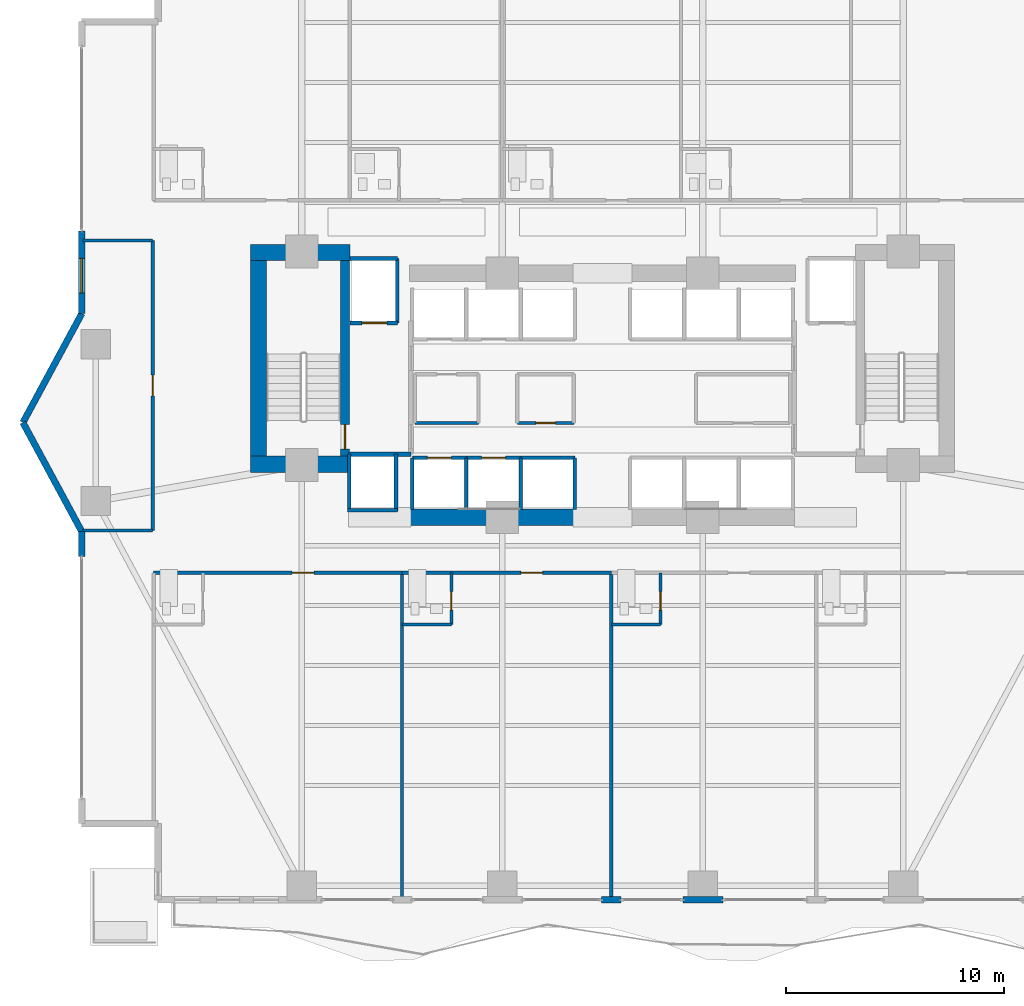
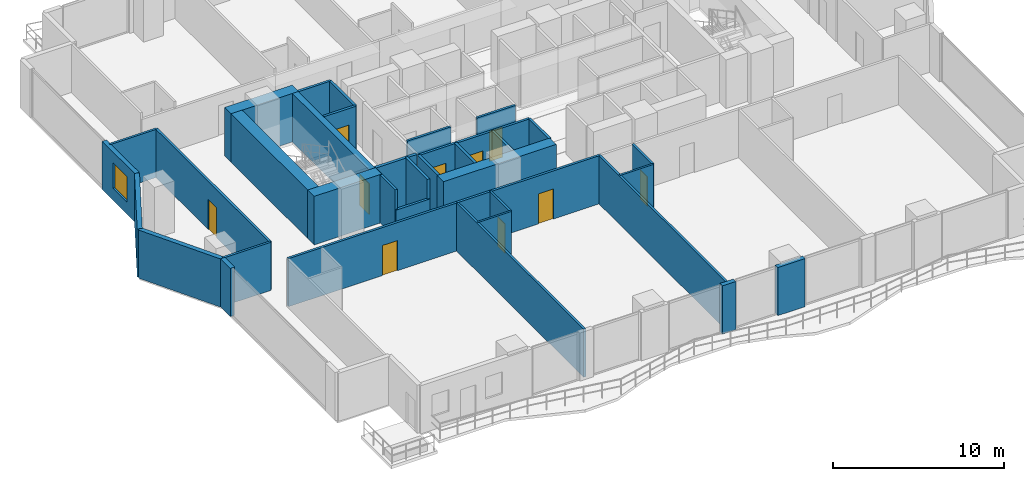
# One storey, part 20 of 27: 38 walls, 10 doors, 1 window, 11 openings.
"""IFC4 building model written with IfcOpenShell, lengths in metres."""

import ifcopenshell
import ifcopenshell.guid

model = None  # the IFC model being written
_history = None  # IfcOwnerHistory: only IFC2X3 demands one
_inside = {}  # id of a spatial element -> (the spatial element, [elements in it])
_under = {}  # id of a project, library or spatial element -> (it, [spatial elements below it])
_declared = {}  # id of a project -> (the project, [libraries it declares])
_typed = {}  # id of a type object -> (the type object, [elements of that type])
_made_of = {}  # id of a material, layer set ... -> (it, [elements and type objects made of it])


def new_model(schema):
    """Start an empty IFC model of exactly this schema.

    Asked for "IFC4X3", IfcOpenShell would pick the latest addendum, in which some entities
    have other attributes; the version numbers below select the first issue.
    IFC2X3 requires an IfcOwnerHistory on every rooted entity: one is made here for all.
    """
    global model, _history
    if schema == "IFC4X3":
        model = ifcopenshell.file(schema_version=(4, 3, 0, 0))
    else:
        model = ifcopenshell.file(schema=schema)
    _inside.clear()
    _under.clear()
    _declared.clear()
    _typed.clear()
    _made_of.clear()
    _history = None
    if model.schema == "IFC2X3":
        org = make("IfcOrganization", Name="unknown")
        user = make(
            "IfcPersonAndOrganization",
            ThePerson=make("IfcPerson", FamilyName="unknown"),
            TheOrganization=org,
        )
        app = make(
            "IfcApplication",
            ApplicationDeveloper=org,
            Version="unknown",
            ApplicationFullName="unknown",
            ApplicationIdentifier="unknown",
        )
        _history = make(
            "IfcOwnerHistory",
            OwningUser=user,
            OwningApplication=app,
            ChangeAction="ADDED",
            CreationDate=0,
        )
    return model


def make(cls, **values):
    """One entity of the class cls with the attributes given. An attribute that is None is left unset."""
    return model.create_entity(
        cls, **{name: value for name, value in values.items() if value is not None}
    )


def rooted(cls, **values):
    """An entity with a GlobalId (a new one), such as an element, a storey or a relation."""
    return make(cls, GlobalId=ifcopenshell.guid.new(), OwnerHistory=_history, **values)


def si_unit(unit_type, name, prefix=None):
    """IfcSIUnit, for example si_unit("LENGTHUNIT", "METRE", prefix="MILLI")."""
    return make("IfcSIUnit", UnitType=unit_type, Prefix=prefix, Name=name)


def assignment(units):
    """IfcUnitAssignment: the units of a project."""
    return None if units is None else make("IfcUnitAssignment", Units=units)


def point(xyz):
    """IfcCartesianPoint."""
    return None if xyz is None else make("IfcCartesianPoint", Coordinates=xyz)


def direction(xyz):
    """IfcDirection."""
    return None if xyz is None else make("IfcDirection", DirectionRatios=xyz)


def frame(location, z_axis=None, x_axis=None):
    """IfcAxis2Placement3D, a coordinate frame: its origin and axes. An axis left out is left unset."""
    return make(
        "IfcAxis2Placement3D",
        Location=point(location),
        Axis=direction(z_axis),
        RefDirection=direction(x_axis),
    )


def frame_2d(location, x_axis=None):
    """IfcAxis2Placement2D, a coordinate frame in the plane: its origin and x axis."""
    return make(
        "IfcAxis2Placement2D", Location=point(location), RefDirection=direction(x_axis)
    )


def origin():
    """The frame at (0, 0, 0) with its axes left unset."""
    return frame((0.0, 0.0, 0.0))


def place(relative_to, where):
    """IfcLocalPlacement: puts the frame where relative to a parent placement (None: the world)."""
    return make(
        "IfcLocalPlacement", PlacementRelTo=relative_to, RelativePlacement=where
    )


def context(
    kind, dimensions, precision=None, world=None, true_north=None, identifier=None
):
    """IfcGeometricRepresentationContext, for example the 3D "Model" context."""
    return make(
        "IfcGeometricRepresentationContext",
        ContextIdentifier=identifier,
        ContextType=kind,
        CoordinateSpaceDimension=dimensions,
        Precision=precision,
        WorldCoordinateSystem=world,
        TrueNorth=true_north,
    )


def subcontext(parent, identifier, kind, view, scale=None):
    """IfcGeometricRepresentationSubContext, for example "Body" below "Model"."""
    return make(
        "IfcGeometricRepresentationSubContext",
        ContextIdentifier=identifier,
        ContextType=kind,
        ParentContext=parent,
        TargetScale=scale,
        TargetView=view,
    )


def project(units=None, contexts=None):
    """IfcProject with its units and contexts."""
    return rooted(
        "IfcProject",
        Name="project",
        RepresentationContexts=contexts,
        UnitsInContext=assignment(units),
    )


def spatial(cls, under=None, at=None, **own):
    """A site, building, storey or space (cls), placed at a placement, below another one or the project."""
    s = rooted(cls, ObjectPlacement=at, **own)
    if under is not None:
        _under.setdefault(under.id(), (under, []))[1].append(s)
    return s


def profile(cls, at=None, kind="AREA", **sizes):
    """A parametric profile (cls). Its sizes go by their IFC names, for example OverallWidth=200.0."""
    return make(cls, ProfileType=kind, Position=at, **sizes)


def rectangle(**sizes):
    """IfcRectangleProfileDef."""
    return profile("IfcRectangleProfileDef", **sizes)


def extrude(swept, where, along, depth):
    """IfcExtrudedAreaSolid: the profile swept, set in the frame where, extruded along a direction by depth."""
    return make(
        "IfcExtrudedAreaSolid",
        SweptArea=swept,
        Position=where,
        ExtrudedDirection=direction(along),
        Depth=depth,
    )


def shape(context_of_items, identifier, shape_type, items):
    """IfcShapeRepresentation: the items that make up one representation, for example the "Body"."""
    return make(
        "IfcShapeRepresentation",
        ContextOfItems=context_of_items,
        RepresentationIdentifier=identifier,
        RepresentationType=shape_type,
        Items=items,
    )


def material(Name=None, Category=None):
    """IfcMaterial."""
    return make("IfcMaterial", Name=Name, Category=Category)


def layer(
    of_material, thickness, ventilated=None, Name=None, Category=None, Priority=None
):
    """IfcMaterialLayer: one layer of a wall or slab, of a material (None: an air gap)."""
    return make(
        "IfcMaterialLayer",
        Material=of_material,
        LayerThickness=thickness,
        IsVentilated=ventilated,
        Name=Name,
        Category=Category,
        Priority=Priority,
    )


def layer_set(layers, Name=None):
    """IfcMaterialLayerSet."""
    return make("IfcMaterialLayerSet", MaterialLayers=layers, LayerSetName=Name)


def made_of(thing, what):
    """Note that an element or type object is made of a material, layer set ...; save() writes the relation."""
    if what is not None:
        _made_of.setdefault(what.id(), (what, []))[1].append(thing)
    return thing


def type_object(cls, material=None, **own):
    """A type object (cls), such as IfcWallType, which elements share."""
    return made_of(rooted(cls, **own), material)


def element(
    cls,
    number,
    at=None,
    inside=None,
    cuts=None,
    type_object=None,
    material=None,
    context=None,
    identifier="Body",
    shape_type=None,
    held_by="IfcProductDefinitionShape",
    body=None,
    shapes=None,
    **own,
):
    """One element of the class cls, such as IfcWall. Its Tag is "e" and its number.

    at: its placement. inside: the storey or other place that contains it. cuts: it is an
    opening in that element (IfcRelVoidsElement). A single representation is given by context,
    identifier, shape_type and body (its items); several are given by shapes. held_by: the class
    of the entity that holds the representations. save() writes the other relations.
    """
    e = rooted(cls, Tag="e%d" % number, ObjectPlacement=at, **own)
    if body is not None:
        shapes = [shape(context, identifier, shape_type, body)]
    if shapes is not None:
        e.Representation = make(held_by, Representations=shapes)
    if inside is not None:
        _inside.setdefault(inside.id(), (inside, []))[1].append(e)
    if cuts is not None:
        rooted(
            "IfcRelVoidsElement", RelatingBuildingElement=cuts, RelatedOpeningElement=e
        )
    if type_object is not None:
        _typed.setdefault(type_object.id(), (type_object, []))[1].append(e)
    return made_of(e, material)


def fill(opening, filler):
    """IfcRelFillsElement: the door or window that sits in an opening."""
    return rooted(
        "IfcRelFillsElement",
        RelatingOpeningElement=opening,
        RelatedBuildingElement=filler,
    )


def aggregate(whole, parts):
    """IfcRelAggregates: a whole, such as a stair, and the parts it consists of."""
    return rooted("IfcRelAggregates", RelatingObject=whole, RelatedObjects=parts)


def save(model, path):
    """Write the relations noted so far, then the file.

    IfcRelAggregates (storeys below a building ...), IfcRelContainedInSpatialStructure (elements
    in a storey), IfcRelDefinesByType, IfcRelAssociatesMaterial and IfcRelDeclares: one each for
    every whole, place, type object, material and project.
    """
    for whole, parts in _under.values():
        aggregate(whole, parts)
    for where, things in _inside.values():
        rooted(
            "IfcRelContainedInSpatialStructure",
            RelatedElements=things,
            RelatingStructure=where,
        )
    for kind, things in _typed.values():
        rooted("IfcRelDefinesByType", RelatedObjects=things, RelatingType=kind)
    for what, things in _made_of.values():
        rooted("IfcRelAssociatesMaterial", RelatedObjects=things, RelatingMaterial=what)
    for by, libraries in _declared.values():
        rooted("IfcRelDeclares", RelatingContext=by, RelatedDefinitions=libraries)
    model.write(path)


model = new_model("IFC4")

# Units and contexts
model_context = context("Model", 3, precision=1e-05, world=origin(), true_north=direction((0.0, 1.0)))
body_context = subcontext(model_context, "Body", "Model", "MODEL_VIEW")
ifc_project = project(units=[si_unit("LENGTHUNIT", "METRE"), si_unit("AREAUNIT", "SQUARE_METRE"), si_unit("VOLUMEUNIT", "CUBIC_METRE"), si_unit("PLANEANGLEUNIT", "RADIAN"), si_unit("MASSUNIT", "GRAM", prefix="KILO")], contexts=[model_context])

# Site, building, storey
site_placement = place(None, origin())
site = spatial("IfcSite", under=ifc_project, at=site_placement, CompositionType="ELEMENT")
building_placement = place(site_placement, origin())
building = spatial("IfcBuilding", under=site, at=building_placement, Name="Zuhayl Quay Hotel", CompositionType="ELEMENT")
storey_placement = place(building_placement, frame((0.0, 0.0, 117.550048828125)))
storey = spatial("IfcBuildingStorey", under=building, at=storey_placement, Name="L29", CompositionType="ELEMENT", Elevation=117.550048828125)

# Walls
ifc_material_1 = material(Name="Concrete C60/75", Category="concrete")
ifc_layer_1 = layer(ifc_material_1, 0.75, Name="Concrete C60/75", Category="concrete")
ifc_layer_set_1 = layer_set([ifc_layer_1], Name="Concrete C60/75")
wall_type_1 = type_object("IfcWallType", Name="WL_CORE_750", PredefinedType="SHEAR", material=ifc_layer_set_1)
wall_1_placement = place(storey_placement, frame((-16.159912109375, 14.304931640625, 0.0), z_axis=(0.0, 0.0, 1.0), x_axis=(1.0, 0.0, 0.0)))
element("IfcWall", 1, at=wall_1_placement, inside=storey, type_object=wall_type_1, Name="L29 Core Shear Wall CW_NW", PredefinedType="SHEAR", context=body_context, shape_type="SweptSolid", body=[
    extrude(rectangle(XDim=4.559814453125, YDim=0.75, at=frame_2d((2.27978515625, 0.0))), origin(), (0.0, 0.0, 1.0), 3.4599609375),
])
wall_2_placement = place(storey_placement, frame((-15.784912109375, 4.969970703125, 0.0), z_axis=(0.0, 0.0, 1.0), x_axis=(0.0, 1.0, 0.0)))
element("IfcWall", 2, at=wall_2_placement, inside=storey, type_object=wall_type_1, Name="L29 Core Shear Wall CW_W", PredefinedType="SHEAR", context=body_context, shape_type="SweptSolid", body=[
    extrude(rectangle(XDim=8.9599609375, YDim=0.75, at=frame_2d((4.47998046875, 0.0))), origin(), (0.0, 0.0, 1.0), 3.4599609375),
])
wall_3_placement = place(storey_placement, frame((-16.159912109375, 4.594970703125, 0.0), z_axis=(0.0, 0.0, 1.0), x_axis=(1.0, 0.0, 0.0)))
element("IfcWall", 3, at=wall_3_placement, inside=storey, type_object=wall_type_1, Name="L29 Core Shear Wall CW_SW", PredefinedType="SHEAR", context=body_context, shape_type="SweptSolid", body=[
    extrude(rectangle(XDim=4.559814453125, YDim=0.75, at=frame_2d((2.27978515625, 0.0))), origin(), (0.0, 0.0, 1.0), 3.4599609375),
])
wall_4_placement = place(storey_placement, frame((-8.85009765625, 2.14990234375, 0.0), z_axis=(0.0, 0.0, 1.0), x_axis=(1.0, 0.0, 0.0)))
element("IfcWall", 4, at=wall_4_placement, inside=storey, type_object=wall_type_1, Name="L29 Core Shear Wall CW_SC_W", PredefinedType="SHEAR", context=body_context, shape_type="SweptSolid", body=[
    extrude(rectangle(XDim=7.60009765625, YDim=0.75, at=frame_2d((3.800048828125, 0.0))), origin(), (0.0, 0.0, 1.0), 3.429931640625),
])
ifc_material_2 = material(Name="Precast concrete C45/55", Category="concrete")
ifc_layer_2 = layer(ifc_material_2, 0.300048828125, Name="Precast concrete C45/55", Category="concrete")
ifc_layer_set_2 = layer_set([ifc_layer_2], Name="Precast concrete C45/55")
wall_type_2 = type_object("IfcWallType", Name="WL_EXT_300", PredefinedType="STANDARD", material=ifc_layer_set_2)
wall_5_placement = place(storey_placement, frame((-23.89990234375, 0.35009765625, 0.0), z_axis=(0.0, 0.0, 1.0), x_axis=(0.0, 1.0, 0.0)))
element("IfcWall", 5, at=wall_5_placement, inside=storey, type_object=wall_type_2, Name="L29 Exterior Precast Wall ENV_L29_E02_EW2", PredefinedType="STANDARD", context=body_context, shape_type="SweptSolid", body=[
    extrude(rectangle(XDim=1.14990234375, YDim=0.300048828125, at=frame_2d((0.574951171875, 0.0))), origin(), (0.0, 0.0, 1.0), 3.429931640625),
])
for number, where, z_axis, x_axis, name in (
    (6, (-23.89990234375, 1.5, 0.0), (0.0, 0.0, 1.0), (-0.475175525499, 0.879891027325, 0.0), "L29 Exterior Precast Wall ENV_L29_EW03"),
    (7, (-26.60009765625, 6.5, 0.0), (0.0, 0.0, 1.0), (0.475175525499, 0.879891027325, 0.0), "L29 Exterior Precast Wall ENV_L29_EW04"),
):
    element("IfcWall", number, at=place(storey_placement, frame(where, z_axis=z_axis, x_axis=x_axis)), inside=storey, type_object=wall_type_2, Name=name, PredefinedType="STANDARD", context=body_context, shape_type="SweptSolid", body=[
        extrude(rectangle(XDim=5.6826171875, YDim=0.300048828125, at=frame_2d((2.84130859375, 0.0))), origin(), (0.0, 0.0, 1.0), 3.429931640625),
    ])

# Wall, opening, window
wall_6_placement = place(storey_placement, frame((-23.89990234375, 11.5, 0.0), z_axis=(0.0, 0.0, 1.0), x_axis=(0.0, 1.0, 0.0)))
wall_6 = element("IfcWall", 8, at=wall_6_placement, inside=storey, type_object=wall_type_2, Name="L29 Exterior Precast Wall ENV_L29_E05_EW1", PredefinedType="STANDARD", context=body_context, shape_type="SweptSolid", body=[
    extrude(rectangle(XDim=3.800048828125, YDim=0.300048828125, at=frame_2d((1.89990234375, 0.0))), origin(), (0.0, 0.0, 1.0), 3.429931640625),
])
opening_1_placement = place(wall_6_placement, frame((0.93505859375, 0.0, 0.85009765625)))
opening_1 = element("IfcOpeningElement", 9, at=opening_1_placement, cuts=wall_6, Name="Opening W01", PredefinedType="OPENING", context=body_context, shape_type="SweptSolid", body=[
    extrude(rectangle(XDim=1.60009765625, YDim=1.800048828125, at=frame_2d((0.800048828125, 0.89990234375))), frame((0.0, 0.159912109375, 0.0), z_axis=(0.0, -1.0, 0.0), x_axis=(1.0, 0.0, 0.0)), (0.0, 0.0, 1.0), 0.320068359375),
])
ifc_material_3 = material(Name="Dark Ceramic-Fritted Solar Glass", Category="glass")
window_type = type_object("IfcWindowType", Name="WN_OPERABLE_1600", PartitioningType="DOUBLE_PANEL_VERTICAL", PredefinedType="WINDOW", material=ifc_material_3)
window_placement = place(opening_1_placement, origin())
window = element("IfcWindow", 10, at=window_placement, inside=storey, type_object=window_type, Name="L29 Operable Facade Window 1-1", OverallHeight=1.800048828125, OverallWidth=1.60009765625, PartitioningType="SINGLE_PANEL", PredefinedType="WINDOW", context=body_context, shape_type="SweptSolid", body=[
    extrude(rectangle(XDim=1.60009765625, YDim=1.800048828125, at=frame_2d((0.800048828125, 0.89990234375))), frame((0.0, 0.030029296875, 0.0), z_axis=(0.0, -1.0, 0.0), x_axis=(1.0, 0.0, 0.0)), (0.0, 0.0, 1.0), 0.06005859375),
])
fill(opening_1, window)

# Walls
wall_7_placement = place(storey_placement, frame((5.52001953125, -15.39990234375, 0.0), z_axis=(0.0, 0.0, 1.0), x_axis=(-1.0, 0.0, 0.0)))
element("IfcWall", 11, at=wall_7_placement, inside=storey, type_object=wall_type_2, Name="L29 Exterior Precast Wall ENV_L29_S_EW4", PredefinedType="STANDARD", context=body_context, shape_type="SweptSolid", body=[
    extrude(rectangle(XDim=1.840087890625, YDim=0.300048828125, at=frame_2d((0.919921875, 0.0))), origin(), (0.0, 0.0, 1.0), 3.429931640625),
])
wall_8_placement = place(storey_placement, frame((0.85009765625, -15.39990234375, 0.0), z_axis=(0.0, 0.0, 1.0), x_axis=(-1.0, 0.0, 0.0)))
element("IfcWall", 12, at=wall_8_placement, inside=storey, type_object=wall_type_2, Name="L29 Exterior Precast Wall ENV_L29_S_EW5", PredefinedType="STANDARD", context=body_context, shape_type="SweptSolid", body=[
    extrude(rectangle(XDim=0.900146484375, YDim=0.300048828125, at=frame_2d((0.4501953125, 0.0))), origin(), (0.0, 0.0, 1.0), 3.429931640625),
])

# Wall, opening, door
ifc_material_4 = material(Name="Acoustic Gypsum Partition STC-58")
ifc_layer_3 = layer(ifc_material_4, 0.14990234375, Name="Acoustic Gypsum Partition STC-58")
ifc_layer_set_3 = layer_set([ifc_layer_3], Name="Acoustic Gypsum Partition STC-58")
wall_type_3 = type_object("IfcWallType", Name="WL_PART_150", PredefinedType="PARTITIONING", material=ifc_layer_set_3)
wall_9_placement = place(storey_placement, frame((-3.909912109375, 6.47998046875, 0.0), z_axis=(0.0, 0.0, 1.0), x_axis=(1.0, 0.0, 0.0)))
wall_9 = element("IfcWall", 13, at=wall_9_placement, inside=storey, type_object=wall_type_3, Name="L29 Partition IW_L29_CORE_BC_S", PredefinedType="PARTITIONING", context=body_context, shape_type="SweptSolid", body=[
    extrude(rectangle(XDim=2.58984375, YDim=0.14990234375, at=frame_2d((1.294921875, 0.0))), origin(), (0.0, 0.0, 1.0), 3.429931640625),
])
opening_2_placement = place(wall_9_placement, frame((0.844970703125, 0.0, 0.0)))
opening_2 = element("IfcOpeningElement", 14, at=opening_2_placement, cuts=wall_9, Name="Opening D06", PredefinedType="OPENING", context=body_context, shape_type="SweptSolid", body=[
    extrude(rectangle(XDim=0.89990234375, YDim=2.14990234375, at=frame_2d((0.449951171875, 1.074951171875))), frame((0.0, 0.0849609375, 0.0), z_axis=(0.0, -1.0, 0.0), x_axis=(1.0, 0.0, 0.0)), (0.0, 0.0, 1.0), 0.169921875),
])
ifc_material_5 = material(Name="Steel ASTM A992 Grade 50", Category="steel")
door_type_1 = type_object("IfcDoorType", Name="DR_INT_900", OperationType="NOTDEFINED", PredefinedType="DOOR", material=ifc_material_5)
door_1_placement = place(opening_2_placement, origin())
door_1 = element("IfcDoor", 15, at=door_1_placement, inside=storey, type_object=door_type_1, Name="L29 BMS Control Closet Door", OperationType="SINGLE_SWING_RIGHT", OverallHeight=2.14990234375, OverallWidth=0.89990234375, PredefinedType="DOOR", context=body_context, shape_type="SweptSolid", body=[
    extrude(rectangle(XDim=0.89990234375, YDim=2.14990234375, at=frame_2d((0.449951171875, 1.074951171875))), frame((0.0, 0.02490234375, 0.0), z_axis=(0.0, -1.0, 0.0), x_axis=(1.0, 0.0, 0.0)), (0.0, 0.0, 1.0), 0.050048828125),
])
fill(opening_2, door_1)

# Walls
wall_10_placement = place(storey_placement, frame((-8.610107421875, 6.47998046875, 0.0), z_axis=(0.0, 0.0, 1.0), x_axis=(1.0, 0.0, 0.0)))
element("IfcWall", 16, at=wall_10_placement, inside=storey, type_object=wall_type_3, Name="L29 Partition IW_L29_CORE_HK_S", PredefinedType="PARTITIONING", context=body_context, shape_type="SweptSolid", body=[
    extrude(rectangle(XDim=2.920166015625, YDim=0.14990234375, at=frame_2d((1.4599609375, 0.0))), origin(), (0.0, 0.0, 1.0), 3.429931640625),
])
for number, where, z_axis, x_axis, name in (
    (17, (-9.199951171875, -15.320068359375, 0.0), (0.0, 0.0, 1.0), (0.0, 1.0, 0.0), "L29 Partition IW_L29_SU01_E"),
    (18, (0.39990234375, -15.320068359375, 0.0), (0.0, 0.0, 1.0), (0.0, 1.0, 0.0), "L29 Partition IW_L29_SU02_E"),
):
    element("IfcWall", number, at=place(storey_placement, frame(where, z_axis=z_axis, x_axis=x_axis)), inside=storey, type_object=wall_type_3, Name=name, PredefinedType="PARTITIONING", context=body_context, shape_type="SweptSolid", body=[
        extrude(rectangle(XDim=14.920166015625, YDim=0.14990234375, at=frame_2d((7.4599609375, 0.0))), origin(), (0.0, 0.0, 1.0), 3.429931640625),
    ])
wall_11_placement = place(storey_placement, frame((-23.866943359375, 1.550048828125, 0.0), z_axis=(0.0, 0.0, 1.0), x_axis=(1.0, 0.0, 0.0)))
element("IfcWall", 19, at=wall_11_placement, inside=storey, type_object=wall_type_3, Name="L29 Partition IW_L29_WPROW_1_S", PredefinedType="PARTITIONING", context=body_context, shape_type="SweptSolid", body=[
    extrude(rectangle(XDim=3.217041015625, YDim=0.14990234375, at=frame_2d((1.6083984375, 0.0))), origin(), (0.0, 0.0, 1.0), 3.429931640625),
])
wall_12_placement = place(storey_placement, frame((-23.840087890625, 14.85009765625, 0.0), z_axis=(0.0, 0.0, 1.0), x_axis=(1.0, 0.0, 0.0)))
element("IfcWall", 20, at=wall_12_placement, inside=storey, type_object=wall_type_3, Name="L29 Partition IW_L29_WPROW_1_N", PredefinedType="PARTITIONING", context=body_context, shape_type="SweptSolid", body=[
    extrude(rectangle(XDim=3.190185546875, YDim=0.14990234375, at=frame_2d((1.59521484375, 0.0))), origin(), (0.0, 0.0, 1.0), 3.429931640625),
])

# Wall, opening, door
ifc_layer_4 = layer(ifc_material_4, 0.159912109375, Name="Acoustic Gypsum Partition STC-58")
ifc_layer_set_4 = layer_set([ifc_layer_4], Name="Acoustic Gypsum Partition STC-58")
wall_type_4 = type_object("IfcWallType", Name="WL_PART_CORR_160", PredefinedType="PARTITIONING", material=ifc_layer_set_4)
wall_13_placement = place(storey_placement, frame((-20.60009765625, -0.39990234375, 0.0), z_axis=(0.0, 0.0, 1.0), x_axis=(1.0, 0.0, 0.0)))
wall_13 = element("IfcWall", 21, at=wall_13_placement, inside=storey, type_object=wall_type_4, Name="L29 Partition IW_L29_SU01_COR", PredefinedType="PARTITIONING", context=body_context, shape_type="SweptSolid", body=[
    extrude(rectangle(XDim=11.400146484375, YDim=0.159912109375, at=frame_2d((5.7001953125, 0.0))), origin(), (0.0, 0.0, 1.0), 3.429931640625),
])
opening_3_placement = place(wall_13_placement, frame((6.35009765625, 0.0, 0.0)))
opening_3 = element("IfcOpeningElement", 22, at=opening_3_placement, cuts=wall_13, Name="Opening D03L", PredefinedType="OPENING", context=body_context, shape_type="SweptSolid", body=[
    extrude(rectangle(XDim=1.0, YDim=2.14990234375, at=frame_2d((0.5, 1.074951171875))), frame((0.0, 0.08984375, 0.0), z_axis=(0.0, -1.0, 0.0), x_axis=(1.0, 0.0, 0.0)), (0.0, 0.0, 1.0), 0.179931640625),
])
ifc_material_6 = material(Name="Solid Walnut Acoustic Fire Door")
door_type_2 = type_object("IfcDoorType", Name="DR_SUITE_1000", OperationType="NOTDEFINED", PredefinedType="DOOR", material=ifc_material_6)
door_2_placement = place(opening_3_placement, origin())
door_2 = element("IfcDoor", 23, at=door_2_placement, inside=storey, type_object=door_type_2, Name="L29 City-View Junior Suite L29-01 Entrance Door", OperationType="SINGLE_SWING_RIGHT", OverallHeight=2.14990234375, OverallWidth=1.0, PredefinedType="DOOR", context=body_context, shape_type="SweptSolid", body=[
    extrude(rectangle(XDim=1.0, YDim=2.14990234375, at=frame_2d((0.5, 1.074951171875))), frame((0.0, 0.02490234375, 0.0), z_axis=(0.0, -1.0, 0.0), x_axis=(1.0, 0.0, 0.0)), (0.0, 0.0, 1.0), 0.050048828125),
])
fill(opening_3, door_2)

wall_14_placement = place(storey_placement, frame((-9.199951171875, -0.39990234375, 0.0), z_axis=(0.0, 0.0, 1.0), x_axis=(1.0, 0.0, 0.0)))
wall_14 = element("IfcWall", 24, at=wall_14_placement, inside=storey, type_object=wall_type_4, Name="L29 Partition IW_L29_SU02_COR", PredefinedType="PARTITIONING", context=body_context, shape_type="SweptSolid", body=[
    extrude(rectangle(XDim=9.599853515625, YDim=0.159912109375, at=frame_2d((4.7998046875, 0.0))), origin(), (0.0, 0.0, 1.0), 3.429931640625),
])
opening_4_placement = place(wall_14_placement, frame((5.449951171875, 0.0, 0.0)))
opening_4 = element("IfcOpeningElement", 25, at=opening_4_placement, cuts=wall_14, Name="Opening D03L", PredefinedType="OPENING", context=body_context, shape_type="SweptSolid", body=[
    extrude(rectangle(XDim=1.0, YDim=2.14990234375, at=frame_2d((0.5, 1.074951171875))), frame((0.0, 0.08984375, 0.0), z_axis=(0.0, -1.0, 0.0), x_axis=(1.0, 0.0, 0.0)), (0.0, 0.0, 1.0), 0.179931640625),
])
door_3_placement = place(opening_4_placement, origin())
door_3 = element("IfcDoor", 26, at=door_3_placement, inside=storey, type_object=door_type_2, Name="L29 City-View Junior Suite L29-02 Entrance Door", OperationType="SINGLE_SWING_RIGHT", OverallHeight=2.14990234375, OverallWidth=1.0, PredefinedType="DOOR", context=body_context, shape_type="SweptSolid", body=[
    extrude(rectangle(XDim=1.0, YDim=2.14990234375, at=frame_2d((0.5, 1.074951171875))), frame((0.0, 0.02490234375, 0.0), z_axis=(0.0, -1.0, 0.0), x_axis=(1.0, 0.0, 0.0)), (0.0, 0.0, 1.0), 0.050048828125),
])
fill(opening_4, door_3)

wall_15_placement = place(storey_placement, frame((-20.64990234375, 1.550048828125, 0.0), z_axis=(0.0, 0.0, 1.0), x_axis=(0.0, 1.0, 0.0)))
wall_15 = element("IfcWall", 27, at=wall_15_placement, inside=storey, type_object=wall_type_4, Name="L29 Partition IW_L29_WPROW_1_E", PredefinedType="PARTITIONING", context=body_context, shape_type="SweptSolid", body=[
    extrude(rectangle(XDim=13.300048828125, YDim=0.159912109375, at=frame_2d((6.64990234375, 0.0))), origin(), (0.0, 0.0, 1.0), 3.429931640625),
])
opening_5_placement = place(wall_15_placement, frame((6.175048828125, 0.0, 0.0)))
opening_5 = element("IfcOpeningElement", 28, at=opening_5_placement, cuts=wall_15, Name="Opening D03", PredefinedType="OPENING", context=body_context, shape_type="SweptSolid", body=[
    extrude(rectangle(XDim=0.949951171875, YDim=2.14990234375, at=frame_2d((0.47509765625, 1.074951171875))), frame((0.0, 0.08984375, 0.0), z_axis=(0.0, -1.0, 0.0), x_axis=(1.0, 0.0, 0.0)), (0.0, 0.0, 1.0), 0.179931640625),
])
door_type_3 = type_object("IfcDoorType", Name="DR_SUITE_950", OperationType="NOTDEFINED", PredefinedType="DOOR", material=ifc_material_6)
door_4_placement = place(opening_5_placement, origin())
door_4 = element("IfcDoor", 29, at=door_4_placement, inside=storey, type_object=door_type_3, Name="L29 West Prow Panoramic Salon L29 Door", OperationType="SINGLE_SWING_RIGHT", OverallHeight=2.14990234375, OverallWidth=0.949951171875, PredefinedType="DOOR", context=body_context, shape_type="SweptSolid", body=[
    extrude(rectangle(XDim=0.949951171875, YDim=2.14990234375, at=frame_2d((0.47509765625, 1.074951171875))), frame((0.0, 0.02490234375, 0.0), z_axis=(0.0, -1.0, 0.0), x_axis=(1.0, 0.0, 0.0)), (0.0, 0.0, 1.0), 0.050048828125),
])
fill(opening_5, door_4)

ifc_material_7 = material(Name="Moisture-Resistant Sanitarychase Gypsum")
ifc_layer_5 = layer(ifc_material_7, 0.135009765625, Name="Moisture-Resistant Sanitarychase Gypsum")
ifc_layer_set_5 = layer_set([ifc_layer_5], Name="Moisture-Resistant Sanitarychase Gypsum")
wall_type_5 = type_object("IfcWallType", Name="WL_PART_PLUMB_150", PredefinedType="PLUMBINGWALL", material=ifc_layer_set_5)
wall_16_placement = place(storey_placement, frame((-6.93994140625, -2.760009765625, 0.0), z_axis=(0.0, 0.0, 1.0), x_axis=(0.0, 1.0, 0.0)))
wall_16 = element("IfcWall", 30, at=wall_16_placement, inside=storey, type_object=wall_type_5, Name="L29 Partition IW_L29_SU02_BE", PredefinedType="PLUMBINGWALL", context=body_context, shape_type="SweptSolid", body=[
    extrude(rectangle(XDim=2.360107421875, YDim=0.135009765625, at=frame_2d((1.18017578125, 0.0))), origin(), (0.0, 0.0, 1.0), 3.429931640625),
])
opening_6_placement = place(wall_16_placement, frame((0.64990234375, 0.0, 0.0)))
opening_6 = element("IfcOpeningElement", 31, at=opening_6_placement, cuts=wall_16, Name="Opening D04", PredefinedType="OPENING", context=body_context, shape_type="SweptSolid", body=[
    extrude(rectangle(XDim=0.85009765625, YDim=2.10009765625, at=frame_2d((0.425048828125, 1.050048828125))), frame((0.0, 0.077392578125, 0.0), z_axis=(0.0, -1.0, 0.0), x_axis=(1.0, 0.0, 0.0)), (0.0, 0.0, 1.0), 0.155029296875),
])
ifc_material_8 = material(Name="Moisture-Resistant Walnut Veneer")
door_type_4 = type_object("IfcDoorType", Name="DR_BATH_850", OperationType="NOTDEFINED", PredefinedType="DOOR", material=ifc_material_8)
door_5_placement = place(opening_6_placement, origin())
door_5 = element("IfcDoor", 32, at=door_5_placement, inside=storey, type_object=door_type_4, Name="L29 City-View Junior Suite L29-02 En-Suite Door", OperationType="SINGLE_SWING_LEFT", OverallHeight=2.10009765625, OverallWidth=0.85009765625, PredefinedType="DOOR", context=body_context, shape_type="SweptSolid", body=[
    extrude(rectangle(XDim=0.85009765625, YDim=2.10009765625, at=frame_2d((0.425048828125, 1.050048828125))), frame((0.0, 0.02490234375, 0.0), z_axis=(0.0, -1.0, 0.0), x_axis=(1.0, 0.0, 0.0)), (0.0, 0.0, 1.0), 0.050048828125),
])
fill(opening_6, door_5)

wall_17_placement = place(storey_placement, frame((2.659912109375, -2.760009765625, 0.0), z_axis=(0.0, 0.0, 1.0), x_axis=(0.0, 1.0, 0.0)))
wall_17 = element("IfcWall", 33, at=wall_17_placement, inside=storey, type_object=wall_type_5, Name="L29 Partition IW_L29_SU03_BE", PredefinedType="PLUMBINGWALL", context=body_context, shape_type="SweptSolid", body=[
    extrude(rectangle(XDim=2.360107421875, YDim=0.135009765625, at=frame_2d((1.18017578125, 0.0))), origin(), (0.0, 0.0, 1.0), 3.429931640625),
])
opening_7_placement = place(wall_17_placement, frame((0.64990234375, 0.0, 0.0)))
opening_7 = element("IfcOpeningElement", 34, at=opening_7_placement, cuts=wall_17, Name="Opening D04", PredefinedType="OPENING", context=body_context, shape_type="SweptSolid", body=[
    extrude(rectangle(XDim=0.85009765625, YDim=2.10009765625, at=frame_2d((0.425048828125, 1.050048828125))), frame((0.0, 0.077392578125, 0.0), z_axis=(0.0, -1.0, 0.0), x_axis=(1.0, 0.0, 0.0)), (0.0, 0.0, 1.0), 0.155029296875),
])
door_6_placement = place(opening_7_placement, origin())
door_6 = element("IfcDoor", 35, at=door_6_placement, inside=storey, type_object=door_type_4, Name="L29 City-View Junior Suite L29-03 En-Suite Door", OperationType="SINGLE_SWING_LEFT", OverallHeight=2.10009765625, OverallWidth=0.85009765625, PredefinedType="DOOR", context=body_context, shape_type="SweptSolid", body=[
    extrude(rectangle(XDim=0.85009765625, YDim=2.10009765625, at=frame_2d((0.425048828125, 1.050048828125))), frame((0.0, 0.02490234375, 0.0), z_axis=(0.0, -1.0, 0.0), x_axis=(1.0, 0.0, 0.0)), (0.0, 0.0, 1.0), 0.050048828125),
])
fill(opening_7, door_6)

# Walls
for number, where, z_axis, x_axis, name in (
    (36, (-9.199951171875, -2.760009765625, 0.0), (0.0, 0.0, 1.0), (1.0, 0.0, 0.0), "L29 Partition IW_L29_SU02_BS"),
    (37, (0.39990234375, -2.760009765625, 0.0), (0.0, 0.0, 1.0), (1.0, 0.0, 0.0), "L29 Partition IW_L29_SU03_BS"),
):
    element("IfcWall", number, at=place(storey_placement, frame(where, z_axis=z_axis, x_axis=x_axis)), inside=storey, type_object=wall_type_5, Name=name, PredefinedType="PLUMBINGWALL", context=body_context, shape_type="SweptSolid", body=[
        extrude(rectangle(XDim=2.260009765625, YDim=0.135009765625, at=frame_2d((1.1298828125, 0.0))), origin(), (0.0, 0.0, 1.0), 3.429931640625),
    ])

# Wall, opening, door
ifc_material_9 = material(Name="Gypsum Fireboard Assembly EI-90")
ifc_layer_6 = layer(ifc_material_9, 0.1650390625, Name="Gypsum Fireboard Assembly EI-90")
ifc_layer_set_6 = layer_set([ifc_layer_6], Name="Gypsum Fireboard Assembly EI-90")
wall_type_6 = type_object("IfcWallType", Name="WL_PART_SHAFT_160", PredefinedType="PARTITIONING", material=ifc_layer_set_6)
wall_18_placement = place(storey_placement, frame((-11.580078125, 11.070068359375, 0.0), z_axis=(0.0, 0.0, 1.0), x_axis=(1.0, 0.0, 0.0)))
wall_18 = element("IfcWall", 38, at=wall_18_placement, inside=storey, type_object=wall_type_6, Name="L29 Partition IW_L29_SH_FL1_F", PredefinedType="PARTITIONING", context=body_context, shape_type="SweptSolid", body=[
    extrude(rectangle(XDim=2.16015625, YDim=0.1650390625, at=frame_2d((1.080078125, 0.0))), origin(), (0.0, 0.0, 1.0), 3.429931640625),
])
opening_8_placement = place(wall_18_placement, frame((0.530029296875, 0.0, 0.0)))
opening_8 = element("IfcOpeningElement", 39, at=opening_8_placement, cuts=wall_18, Name="Opening LD2", PredefinedType="OPENING", context=body_context, shape_type="SweptSolid", body=[
    extrude(rectangle(XDim=1.14990234375, YDim=2.25, at=frame_2d((0.574951171875, 1.125))), frame((0.0, 0.092529296875, 0.0), z_axis=(0.0, -1.0, 0.0), x_axis=(1.0, 0.0, 0.0)), (0.0, 0.0, 1.0), 0.18505859375),
])
ifc_material_10 = material(Name="Brushed Stainless Steel", Category="steel")
door_type_5 = type_object("IfcDoorType", Name="DR_LIFT_FF_1100", OperationType="SLIDING_TO_LEFT", PredefinedType="DOOR", material=ifc_material_10)
door_7_placement = place(opening_8_placement, origin())
door_7 = element("IfcDoor", 40, at=door_7_placement, inside=storey, type_object=door_type_5, Name="L29 Lift FL1 Sliding Landing Door", OperationType="SLIDING_TO_LEFT", OverallHeight=2.25, OverallWidth=1.14990234375, PredefinedType="DOOR", context=body_context, shape_type="SweptSolid", body=[
    extrude(rectangle(XDim=1.14990234375, YDim=2.25, at=frame_2d((0.574951171875, 1.125))), frame((0.0, 0.02490234375, 0.0), z_axis=(0.0, -1.0, 0.0), x_axis=(1.0, 0.0, 0.0)), (0.0, 0.0, 1.0), 0.050048828125),
])
fill(opening_8, door_7)

wall_19_placement = place(storey_placement, frame((-8.72998046875, 4.8798828125, 0.0), z_axis=(0.0, 0.0, 1.0), x_axis=(1.0, 0.0, 0.0)))
wall_19 = element("IfcWall", 41, at=wall_19_placement, inside=storey, type_object=wall_type_6, Name="L29 Partition IW_L29_SH_LP1_F", PredefinedType="PARTITIONING", context=body_context, shape_type="SweptSolid", body=[
    extrude(rectangle(XDim=2.47998046875, YDim=0.1650390625, at=frame_2d((1.239990234375, 0.0))), origin(), (0.0, 0.0, 1.0), 3.429931640625),
])
opening_9_placement = place(wall_19_placement, frame((0.68994140625, 0.0, 0.0)))
opening_9 = element("IfcOpeningElement", 42, at=opening_9_placement, cuts=wall_19, Name="Opening LD1", PredefinedType="OPENING", context=body_context, shape_type="SweptSolid", body=[
    extrude(rectangle(XDim=1.10009765625, YDim=2.25, at=frame_2d((0.550048828125, 1.125))), frame((0.0, 0.092529296875, 0.0), z_axis=(0.0, -1.0, 0.0), x_axis=(1.0, 0.0, 0.0)), (0.0, 0.0, 1.0), 0.18505859375),
])
door_type_6 = type_object("IfcDoorType", Name="DR_LIFT_PASS_1100", OperationType="SLIDING_TO_LEFT", PredefinedType="DOOR", material=ifc_material_10)
door_8_placement = place(opening_9_placement, origin())
door_8 = element("IfcDoor", 43, at=door_8_placement, inside=storey, type_object=door_type_6, Name="L29 Lift LP1 Sliding Landing Door", OperationType="SLIDING_TO_LEFT", OverallHeight=2.25, OverallWidth=1.10009765625, PredefinedType="DOOR", context=body_context, shape_type="SweptSolid", body=[
    extrude(rectangle(XDim=1.10009765625, YDim=2.25, at=frame_2d((0.550048828125, 1.125))), frame((0.0, 0.02490234375, 0.0), z_axis=(0.0, -1.0, 0.0), x_axis=(1.0, 0.0, 0.0)), (0.0, 0.0, 1.0), 0.050048828125),
])
fill(opening_9, door_8)

wall_20_placement = place(storey_placement, frame((-6.25, 4.8798828125, 0.0), z_axis=(0.0, 0.0, 1.0), x_axis=(1.0, 0.0, 0.0)))
wall_20 = element("IfcWall", 44, at=wall_20_placement, inside=storey, type_object=wall_type_6, Name="L29 Partition IW_L29_SH_LP2_F", PredefinedType="PARTITIONING", context=body_context, shape_type="SweptSolid", body=[
    extrude(rectangle(XDim=2.5, YDim=0.1650390625, at=frame_2d((1.25, 0.0))), origin(), (0.0, 0.0, 1.0), 3.429931640625),
])
opening_10_placement = place(wall_20_placement, frame((0.699951171875, 0.0, 0.0)))
opening_10 = element("IfcOpeningElement", 45, at=opening_10_placement, cuts=wall_20, Name="Opening LD1", PredefinedType="OPENING", context=body_context, shape_type="SweptSolid", body=[
    extrude(rectangle(XDim=1.10009765625, YDim=2.25, at=frame_2d((0.550048828125, 1.125))), frame((0.0, 0.092529296875, 0.0), z_axis=(0.0, -1.0, 0.0), x_axis=(1.0, 0.0, 0.0)), (0.0, 0.0, 1.0), 0.18505859375),
])
door_9_placement = place(opening_10_placement, origin())
door_9 = element("IfcDoor", 46, at=door_9_placement, inside=storey, type_object=door_type_6, Name="L29 Lift LP2 Sliding Landing Door", OperationType="SLIDING_TO_LEFT", OverallHeight=2.25, OverallWidth=1.10009765625, PredefinedType="DOOR", context=body_context, shape_type="SweptSolid", body=[
    extrude(rectangle(XDim=1.10009765625, YDim=2.25, at=frame_2d((0.550048828125, 1.125))), frame((0.0, 0.02490234375, 0.0), z_axis=(0.0, -1.0, 0.0), x_axis=(1.0, 0.0, 0.0)), (0.0, 0.0, 1.0), 0.050048828125),
])
fill(opening_10, door_9)

# Walls
wall_21_placement = place(storey_placement, frame((-9.419921875, 11.070068359375, 0.0), z_axis=(0.0, 0.0, 1.0), x_axis=(0.0, 1.0, 0.0)))
element("IfcWall", 47, at=wall_21_placement, inside=storey, type_object=wall_type_6, Name="L29 Partition IW_L29_SH_FL1_E", PredefinedType="PARTITIONING", context=body_context, shape_type="SweptSolid", body=[
    extrude(rectangle(XDim=2.9599609375, YDim=0.1650390625, at=frame_2d((1.47998046875, 0.0))), origin(), (0.0, 0.0, 1.0), 3.429931640625),
])
wall_22_placement = place(storey_placement, frame((-11.580078125, 14.030029296875, 0.0), z_axis=(0.0, 0.0, 1.0), x_axis=(1.0, 0.0, 0.0)))
element("IfcWall", 48, at=wall_22_placement, inside=storey, type_object=wall_type_6, Name="L29 Partition IW_L29_SH_FL1_B", PredefinedType="PARTITIONING", context=body_context, shape_type="SweptSolid", body=[
    extrude(rectangle(XDim=2.16015625, YDim=0.1650390625, at=frame_2d((1.080078125, 0.0))), origin(), (0.0, 0.0, 1.0), 3.429931640625),
])
for number, where, z_axis, x_axis, name in (
    (49, (-8.72998046875, 2.52001953125, 0.0), (0.0, 0.0, 1.0), (0.0, 1.0, 0.0), "L29 Partition IW_L29_SH_LP1_W"),
    (50, (-6.25, 2.52001953125, 0.0), (0.0, 0.0, 1.0), (0.0, 1.0, 0.0), "L29 Partition IW_L29_SH_LP1_E"),
    (51, (-3.75, 2.52001953125, 0.0), (0.0, 0.0, 1.0), (0.0, 1.0, 0.0), "L29 Partition IW_L29_SH_LP2_E"),
):
    element("IfcWall", number, at=place(storey_placement, frame(where, z_axis=z_axis, x_axis=x_axis)), inside=storey, type_object=wall_type_6, Name=name, PredefinedType="PARTITIONING", context=body_context, shape_type="SweptSolid", body=[
        extrude(rectangle(XDim=2.35986328125, YDim=0.1650390625, at=frame_2d((1.179931640625, 0.0))), origin(), (0.0, 0.0, 1.0), 3.429931640625),
    ])
wall_23_placement = place(storey_placement, frame((-3.75, 4.8798828125, 0.0), z_axis=(0.0, 0.0, 1.0), x_axis=(1.0, 0.0, 0.0)))
element("IfcWall", 52, at=wall_23_placement, inside=storey, type_object=wall_type_6, Name="L29 Partition IW_L29_SH_MP1_F", PredefinedType="PARTITIONING", context=body_context, shape_type="SweptSolid", body=[
    extrude(rectangle(XDim=2.47998046875, YDim=0.1650390625, at=frame_2d((1.239990234375, 0.0))), origin(), (0.0, 0.0, 1.0), 3.429931640625),
])
wall_24_placement = place(storey_placement, frame((-1.27001953125, 2.52001953125, 0.0), z_axis=(0.0, 0.0, 1.0), x_axis=(0.0, 1.0, 0.0)))
element("IfcWall", 53, at=wall_24_placement, inside=storey, type_object=wall_type_6, Name="L29 Partition IW_L29_SH_MP1_E", PredefinedType="PARTITIONING", context=body_context, shape_type="SweptSolid", body=[
    extrude(rectangle(XDim=2.35986328125, YDim=0.1650390625, at=frame_2d((1.179931640625, 0.0))), origin(), (0.0, 0.0, 1.0), 3.429931640625),
])
wall_25_placement = place(storey_placement, frame((-11.6298828125, 2.469970703125, 0.0), z_axis=(0.0, 0.0, 1.0), x_axis=(0.0, 1.0, 0.0)))
element("IfcWall", 54, at=wall_25_placement, inside=storey, type_object=wall_type_6, Name="L29 Partition IW_L29_RISER_W", PredefinedType="PARTITIONING", context=body_context, shape_type="SweptSolid", body=[
    extrude(rectangle(XDim=2.580078125, YDim=0.1650390625, at=frame_2d((1.2900390625, 0.0))), origin(), (0.0, 0.0, 1.0), 3.429931640625),
])
wall_26_placement = place(storey_placement, frame((-11.7099609375, 2.469970703125, 0.0), z_axis=(0.0, 0.0, 1.0), x_axis=(1.0, 0.0, 0.0)))
element("IfcWall", 55, at=wall_26_placement, inside=storey, type_object=wall_type_6, Name="L29 Partition IW_L29_RISER_S", PredefinedType="PARTITIONING", context=body_context, shape_type="SweptSolid", body=[
    extrude(rectangle(XDim=2.31005859375, YDim=0.1650390625, at=frame_2d((1.155029296875, 0.0))), origin(), (0.0, 0.0, 1.0), 2.030029296875),
])
ifc_layer_7 = layer(ifc_material_9, 0.179931640625, Name="Gypsum Fireboard Assembly EI-90")
ifc_layer_set_7 = layer_set([ifc_layer_7], Name="Gypsum Fireboard Assembly EI-90")
wall_type_7 = type_object("IfcWallType", Name="WL_PART_SHAFT_180", PredefinedType="PARTITIONING", material=ifc_layer_set_7)
wall_27_placement = place(storey_placement, frame((-9.469970703125, 2.449951171875, 0.0), z_axis=(0.0, 0.0, 1.0), x_axis=(0.0, 1.0, 0.0)))
element("IfcWall", 56, at=wall_27_placement, inside=storey, type_object=wall_type_7, Name="L29 Partition IW_L29_RISER_E", PredefinedType="PARTITIONING", context=body_context, shape_type="SweptSolid", body=[
    extrude(rectangle(XDim=2.60009765625, YDim=0.179931640625, at=frame_2d((1.300048828125, 0.0))), origin(), (0.0, 0.0, 1.0), 3.429931640625),
])
ifc_material_11 = material(Name="Gypsum Fireboard Assembly EI-120")
ifc_layer_8 = layer(ifc_material_11, 0.199951171875, Name="Gypsum Fireboard Assembly EI-120")
ifc_layer_set_8 = layer_set([ifc_layer_8], Name="Gypsum Fireboard Assembly EI-120")
wall_type_8 = type_object("IfcWallType", Name="WL_PART_SHAFT_200", PredefinedType="PARTITIONING", material=ifc_layer_set_8)
wall_28_placement = place(storey_placement, frame((-11.64990234375, 5.050048828125, 0.0), z_axis=(0.0, 0.0, 1.0), x_axis=(1.0, 0.0, 0.0)))
element("IfcWall", 57, at=wall_28_placement, inside=storey, type_object=wall_type_8, Name="L29 Partition IW_L29_FSAE_W_S", PredefinedType="PARTITIONING", context=body_context, shape_type="SweptSolid", body=[
    extrude(rectangle(XDim=2.849853515625, YDim=0.199951171875, at=frame_2d((1.4248046875, 0.0))), origin(), (0.0, 0.0, 1.0), 3.429931640625),
])

# Wall, opening, door
ifc_layer_9 = layer(ifc_material_1, 0.39990234375, Name="Concrete C60/75", Category="concrete")
ifc_layer_set_9 = layer_set([ifc_layer_9], Name="Concrete C60/75")
wall_type_9 = type_object("IfcWallType", Name="WL_STAIR_400", PredefinedType="SHEAR", material=ifc_layer_set_9)
wall_29_placement = place(storey_placement, frame((-11.820068359375, 4.969970703125, 0.0), z_axis=(0.0, 0.0, 1.0), x_axis=(0.0, 1.0, 0.0)))
wall_29 = element("IfcWall", 58, at=wall_29_placement, inside=storey, type_object=wall_type_9, Name="L29 Core Shear Wall SW_ST1", PredefinedType="SHEAR", context=body_context, shape_type="SweptSolid", body=[
    extrude(rectangle(XDim=8.9599609375, YDim=0.39990234375, at=frame_2d((4.47998046875, 0.0))), origin(), (0.0, 0.0, 1.0), 3.4599609375),
])
opening_11_placement = place(wall_29_placement, frame((0.31005859375, 0.0, 0.0)))
opening_11 = element("IfcOpeningElement", 59, at=opening_11_placement, cuts=wall_29, Name="Opening D01", PredefinedType="OPENING", context=body_context, shape_type="SweptSolid", body=[
    extrude(rectangle(XDim=1.1201171875, YDim=2.219970703125, at=frame_2d((0.56005859375, 1.10986328125))), frame((0.0, 0.2099609375, 0.0), z_axis=(0.0, -1.0, 0.0), x_axis=(1.0, 0.0, 0.0)), (0.0, 0.0, 1.0), 0.419921875),
])
door_type_7 = type_object("IfcDoorType", Name="DR_STAIR_90_1100", OperationType="NOTDEFINED", PredefinedType="DOOR", material=ifc_material_5)
door_10_placement = place(opening_11_placement, origin())
door_10 = element("IfcDoor", 60, at=door_10_placement, inside=storey, type_object=door_type_7, Name="L29 Smokeproof Exit Stair ST1 Door", OperationType="SINGLE_SWING_LEFT", OverallHeight=2.219970703125, OverallWidth=1.1201171875, PredefinedType="DOOR", context=body_context, shape_type="SweptSolid", body=[
    extrude(rectangle(XDim=1.1201171875, YDim=2.219970703125, at=frame_2d((0.56005859375, 1.10986328125))), frame((0.0, 0.02490234375, 0.0), z_axis=(0.0, -1.0, 0.0), x_axis=(1.0, 0.0, 0.0)), (0.0, 0.0, 1.0), 0.050048828125),
])
fill(opening_11, door_10)

save(model, "model.ifc")
